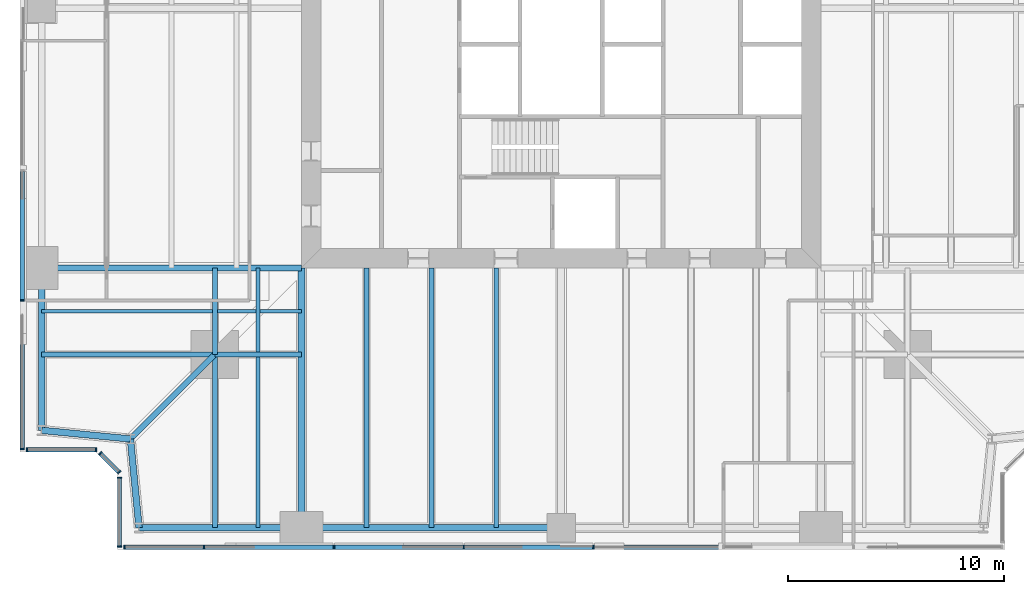
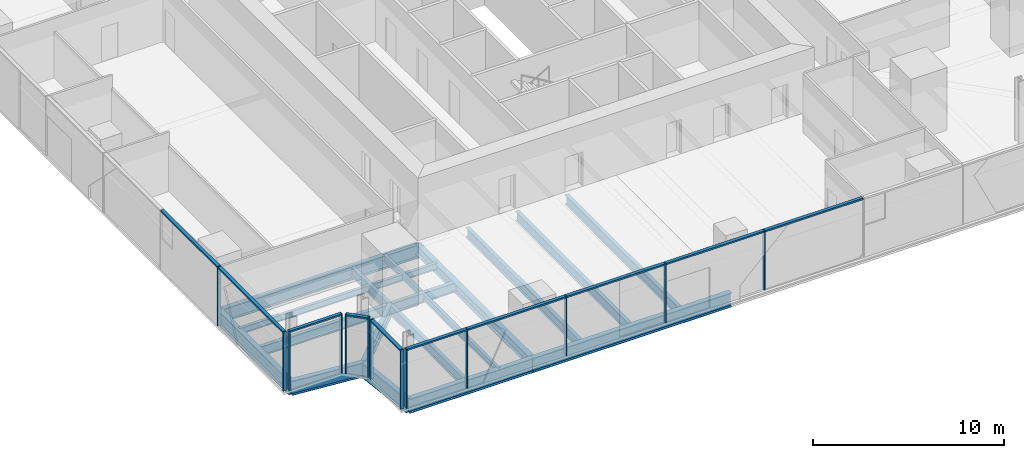
# One storey, part 2 of 13: 23 members, 20 beams, 5 elements without a shape of their own.
"""IFC4 building model written with IfcOpenShell, lengths in metres."""

from ifc_helpers import new_model, si_unit, direction, frame, origin, origin_2d, place, context, subcontext, project, spatial, rectangle, i_section, extrude, material, material_profile, profile_set, type_object, element, aggregate, save


model = new_model("IFC4")

# Units and contexts
model_context = context("Model", 3, precision=1e-05, world=origin(), true_north=direction((0.0, 1.0)))
body_context = subcontext(model_context, "Body", "Model", "MODEL_VIEW")
ifc_project = project(units=[si_unit("LENGTHUNIT", "METRE"), si_unit("AREAUNIT", "SQUARE_METRE"), si_unit("VOLUMEUNIT", "CUBIC_METRE"), si_unit("PLANEANGLEUNIT", "RADIAN"), si_unit("MASSUNIT", "GRAM", prefix="KILO")], contexts=[model_context])

# Site, building, storey
site_placement = place(None, origin())
site = spatial("IfcSite", under=ifc_project, at=site_placement, CompositionType="ELEMENT")
building_placement = place(site_placement, origin())
building = spatial("IfcBuilding", under=site, at=building_placement, Name="Fenwick Lantern Interchange", CompositionType="ELEMENT")
storey_placement = place(building_placement, frame((0.0, 0.0, 158.39990234375)))
storey = spatial("IfcBuildingStorey", under=building, at=storey_placement, Name="L37", CompositionType="ELEMENT", Elevation=158.39990234375)

# Beams
ifc_material_1 = material(Name="Steel ASTM A992 Grade 50", Category="steel")
ifc_material_profile_1 = material_profile(ifc_material_1, i_section(OverallWidth=0.3046875, OverallDepth=0.911865234375, WebThickness=0.015869140625, FlangeThickness=0.02392578125, at=origin_2d()), Name="W36X150")
ifc_profile_set_1 = profile_set([ifc_material_profile_1], Name="Steel ASTM A992 Grade 50")
beam_type_1 = type_object("IfcBeamType", Name="EDGE BEAM W36X150", PredefinedType="SPANDREL", material=ifc_profile_set_1)
beam_1_placement = place(storey_placement, frame((5.5, 1.0, -0.605712890625), z_axis=(1.0, 0.0, 0.0), x_axis=(0.0, 1.0, 0.0)))
element("IfcBeam", 1, at=beam_1_placement, inside=storey, type_object=beam_type_1, Name="L37/FR/S/EB1", PredefinedType="SPANDREL", context=body_context, shape_type="SweptSolid", body=[
    extrude(i_section(OverallWidth=0.3046875, OverallDepth=0.911865234375, WebThickness=0.015869140625, FlangeThickness=0.02392578125, at=origin_2d()), origin(), (0.0, 0.0, 1.0), 7.5),
])
beam_2_placement = place(storey_placement, frame((13.0, 1.0, -0.605712890625), z_axis=(1.0, 0.0, 0.0), x_axis=(0.0, 1.0, 0.0)))
element("IfcBeam", 2, at=beam_2_placement, inside=storey, type_object=beam_type_1, Name="L37/FR/S/EB2", PredefinedType="SPANDREL", context=body_context, shape_type="SweptSolid", body=[
    extrude(i_section(OverallWidth=0.3046875, OverallDepth=0.911865234375, WebThickness=0.015869140625, FlangeThickness=0.02392578125, at=origin_2d()), origin(), (0.0, 0.0, 1.0), 12.0),
])
beam_3_placement = place(storey_placement, frame((1.0, 13.0, -0.605712890625), z_axis=(0.0, -1.0, 0.0), x_axis=(1.0, 0.0, 0.0)))
element("IfcBeam", 3, at=beam_3_placement, inside=storey, type_object=beam_type_1, Name="L37/FR/W/EB4", PredefinedType="SPANDREL", context=body_context, shape_type="SweptSolid", body=[
    extrude(i_section(OverallWidth=0.3046875, OverallDepth=0.911865234375, WebThickness=0.015869140625, FlangeThickness=0.02392578125, at=origin_2d()), origin(), (0.0, 0.0, 1.0), 7.5),
])
for number, where, z_axis, x_axis, name in (
    (4, (1.0, 5.5, -0.605712890625), (0.995277148028, -0.097074191287, 0.0), (0.097074191287, 0.995277148028, 0.0), "L37/FR/W/EBR1"),
    (5, (5.10009765625, 5.10009765625, -0.605712890625), (0.097074191287, -0.995277148028, 0.0), (0.995277148028, 0.097074191287, 0.0), "L37/FR/W/EBR2"),
):
    element("IfcBeam", number, at=place(storey_placement, frame(where, z_axis=z_axis, x_axis=x_axis)), inside=storey, type_object=beam_type_1, Name=name, PredefinedType="SPANDREL", context=body_context, shape_type="SweptSolid", body=[
        extrude(i_section(OverallWidth=0.3046875, OverallDepth=0.911865234375, WebThickness=0.015869140625, FlangeThickness=0.02392578125, at=origin_2d()), origin(), (0.0, 0.0, 1.0), 4.11962890625),
    ])
ifc_material_profile_2 = material_profile(ifc_material_1, i_section(OverallWidth=0.22900390625, OverallDepth=0.612060546875, WebThickness=0.011962890625, FlangeThickness=0.01953125, at=origin_2d()), Name="W24X84")
ifc_profile_set_2 = profile_set([ifc_material_profile_2], Name="Steel ASTM A992 Grade 50")
beam_type_2 = type_object("IfcBeamType", Name="FLOOR BEAM W24X84", PredefinedType="BEAM", material=ifc_profile_set_2)
for number, where, z_axis, x_axis, name in (
    (6, (16.0, 1.0, -0.4560546875), (0.0, 1.0, 0.0), (-1.0, 0.0, 0.0), "L37/FR/S/R02"),
    (7, (19.0, 1.0, -0.4560546875), (0.0, 1.0, 0.0), (-1.0, 0.0, 0.0), "L37/FR/S/R03"),
    (8, (22.0, 1.0, -0.4560546875), (0.0, 1.0, 0.0), (-1.0, 0.0, 0.0), "L37/FR/S/R04"),
):
    element("IfcBeam", number, at=place(storey_placement, frame(where, z_axis=z_axis, x_axis=x_axis)), inside=storey, type_object=beam_type_2, Name=name, PredefinedType="BEAM", context=body_context, shape_type="SweptSolid", body=[
        extrude(i_section(OverallWidth=0.22900390625, OverallDepth=0.612060546875, WebThickness=0.011962890625, FlangeThickness=0.01953125, at=origin_2d()), origin(), (0.0, 0.0, 1.0), 12.0),
    ])
ifc_material_profile_3 = material_profile(ifc_material_1, i_section(OverallWidth=0.177734375, OverallDepth=0.406494140625, WebThickness=0.0078125, FlangeThickness=0.012939453125, at=origin_2d()), Name="W16X40")
ifc_profile_set_3 = profile_set([ifc_material_profile_3], Name="Steel ASTM A992 Grade 50")
beam_type_3 = type_object("IfcBeamType", Name="INFILL BEAM W16X40", PredefinedType="JOIST", material=ifc_profile_set_3)
beam_4_placement = place(storey_placement, frame((11.0, 1.0, -0.35302734375), z_axis=(0.0, 1.0, 0.0), x_axis=(-1.0, 0.0, 0.0)))
element("IfcBeam", 9, at=beam_4_placement, inside=storey, type_object=beam_type_3, Name="L37/FR/S/J1", PredefinedType="JOIST", context=body_context, shape_type="SweptSolid", body=[
    extrude(i_section(OverallWidth=0.177734375, OverallDepth=0.406494140625, WebThickness=0.0078125, FlangeThickness=0.012939453125, at=origin_2d()), origin(), (0.0, 0.0, 1.0), 7.885498046875),
])
beam_5_placement = place(storey_placement, frame((11.0, 9.114501953125, -0.35302734375), z_axis=(0.0, 1.0, 0.0), x_axis=(-1.0, 0.0, 0.0)))
element("IfcBeam", 10, at=beam_5_placement, inside=storey, type_object=beam_type_3, Name="L37/FR/S/J2", PredefinedType="JOIST", context=body_context, shape_type="SweptSolid", body=[
    extrude(i_section(OverallWidth=0.177734375, OverallDepth=0.406494140625, WebThickness=0.0078125, FlangeThickness=0.012939453125, at=origin_2d()), origin(), (0.0, 0.0, 1.0), 3.885498046875),
])
beam_6_placement = place(storey_placement, frame((1.0, 11.0, -0.35302734375), z_axis=(1.0, 0.0, 0.0), x_axis=(0.0, 1.0, 0.0)))
element("IfcBeam", 11, at=beam_6_placement, inside=storey, type_object=beam_type_3, Name="L37/FR/S/J3", PredefinedType="JOIST", context=body_context, shape_type="SweptSolid", body=[
    extrude(i_section(OverallWidth=0.177734375, OverallDepth=0.406494140625, WebThickness=0.0078125, FlangeThickness=0.012939453125, at=origin_2d()), origin(), (0.0, 0.0, 1.0), 7.885498046875),
])
beam_7_placement = place(storey_placement, frame((9.114501953125, 11.0, -0.35302734375), z_axis=(1.0, 0.0, 0.0), x_axis=(0.0, 1.0, 0.0)))
element("IfcBeam", 12, at=beam_7_placement, inside=storey, type_object=beam_type_3, Name="L37/FR/S/J4", PredefinedType="JOIST", context=body_context, shape_type="SweptSolid", body=[
    extrude(i_section(OverallWidth=0.177734375, OverallDepth=0.406494140625, WebThickness=0.0078125, FlangeThickness=0.012939453125, at=origin_2d()), origin(), (0.0, 0.0, 1.0), 1.796630859375),
])
beam_8_placement = place(storey_placement, frame((11.0888671875, 11.0, -0.35302734375), z_axis=(1.0, 0.0, 0.0), x_axis=(0.0, 1.0, 0.0)))
element("IfcBeam", 13, at=beam_8_placement, inside=storey, type_object=beam_type_3, Name="L37/FR/S/J5", PredefinedType="JOIST", context=body_context, shape_type="SweptSolid", body=[
    extrude(i_section(OverallWidth=0.177734375, OverallDepth=0.406494140625, WebThickness=0.0078125, FlangeThickness=0.012939453125, at=origin_2d()), origin(), (0.0, 0.0, 1.0), 1.9111328125),
])
ifc_material_profile_4 = material_profile(ifc_material_1, i_section(OverallWidth=0.22900390625, OverallDepth=0.612060546875, WebThickness=0.011962890625, FlangeThickness=0.01953125, at=origin_2d()), Name="W24X84")
ifc_profile_set_4 = profile_set([ifc_material_profile_4], Name="Steel ASTM A992 Grade 50")
beam_type_4 = type_object("IfcBeamType", Name="MEGA COLUMN BEAM W24X84", PredefinedType="BEAM", material=ifc_profile_set_4)
for number, where, z_axis, x_axis, name in (
    (14, (9.0, 9.0, -0.4560546875), (0.0, -1.0, 0.0), (1.0, 0.0, 0.0), "L37/FR/S/MB1"),
    (15, (9.0, 9.0, -0.4560546875), (-1.0, 0.0, 0.0), (0.0, -1.0, 0.0), "L37/FR/S/MB2"),
):
    element("IfcBeam", number, at=place(storey_placement, frame(where, z_axis=z_axis, x_axis=x_axis)), inside=storey, type_object=beam_type_4, Name=name, PredefinedType="BEAM", context=body_context, shape_type="SweptSolid", body=[
        extrude(i_section(OverallWidth=0.22900390625, OverallDepth=0.612060546875, WebThickness=0.011962890625, FlangeThickness=0.01953125, at=origin_2d()), origin(), (0.0, 0.0, 1.0), 8.0),
    ])
for number, where, z_axis, x_axis, name in (
    (16, (9.0, 9.0, -0.4560546875), (1.0, 0.0, 0.0), (0.0, 1.0, 0.0), "L37/FR/S/MB3"),
    (17, (9.0, 9.0, -0.4560546875), (0.0, 1.0, 0.0), (-1.0, 0.0, 0.0), "L37/FR/S/MB4"),
):
    element("IfcBeam", number, at=place(storey_placement, frame(where, z_axis=z_axis, x_axis=x_axis)), inside=storey, type_object=beam_type_4, Name=name, PredefinedType="BEAM", context=body_context, shape_type="SweptSolid", body=[
        extrude(i_section(OverallWidth=0.22900390625, OverallDepth=0.612060546875, WebThickness=0.011962890625, FlangeThickness=0.01953125, at=origin_2d()), origin(), (0.0, 0.0, 1.0), 4.0),
    ])
ifc_material_profile_5 = material_profile(ifc_material_1, i_section(OverallWidth=0.32763671875, OverallDepth=0.622314453125, WebThickness=0.015380859375, FlangeThickness=0.0244140625, at=origin_2d()), Name="W24X131")
ifc_profile_set_5 = profile_set([ifc_material_profile_5], Name="Steel ASTM A992 Grade 50")
beam_type_5 = type_object("IfcBeamType", Name="MOMENT-CONNECTED GIRDER W24X131", PredefinedType="BEAM", material=ifc_profile_set_5)
beam_9_placement = place(storey_placement, frame((13.0, 1.0, -0.4609375), z_axis=(0.0, 1.0, 0.0), x_axis=(-1.0, 0.0, 0.0)))
element("IfcBeam", 18, at=beam_9_placement, inside=storey, type_object=beam_type_5, Name="L37/FR/S/R01", PredefinedType="BEAM", context=body_context, shape_type="SweptSolid", body=[
    extrude(i_section(OverallWidth=0.32763671875, OverallDepth=0.622314453125, WebThickness=0.015380859375, FlangeThickness=0.0244140625, at=origin_2d()), origin(), (0.0, 0.0, 1.0), 12.0),
])
ifc_material_profile_6 = material_profile(ifc_material_1, i_section(OverallWidth=0.2919921875, OverallDepth=0.845703125, WebThickness=0.015380859375, FlangeThickness=0.0244140625, at=origin_2d()), Name="W33X141")
ifc_profile_set_6 = profile_set([ifc_material_profile_6], Name="Steel ASTM A992 Grade 50")
beam_type_6 = type_object("IfcBeamType", Name="MOMENT-CONNECTED GIRDER W33X141", PredefinedType="BEAM", material=ifc_profile_set_6)
beam_10_placement = place(storey_placement, frame((1.0, 13.0, -0.57275390625), z_axis=(1.0, 0.0, 0.0), x_axis=(0.0, 1.0, 0.0)))
element("IfcBeam", 19, at=beam_10_placement, inside=storey, type_object=beam_type_6, Name="L37/FR/W/R03", PredefinedType="BEAM", context=body_context, shape_type="SweptSolid", body=[
    extrude(i_section(OverallWidth=0.2919921875, OverallDepth=0.845703125, WebThickness=0.015380859375, FlangeThickness=0.0244140625, at=origin_2d()), origin(), (0.0, 0.0, 1.0), 12.0),
])
ifc_material_profile_7 = material_profile(ifc_material_1, i_section(OverallWidth=0.2666015625, OverallDepth=0.7568359375, WebThickness=0.013916015625, FlangeThickness=0.019287109375, at=origin_2d()), Name="W30X108")
ifc_profile_set_7 = profile_set([ifc_material_profile_7], Name="Steel ASTM A992 Grade 50")
beam_type_7 = type_object("IfcBeamType", Name="NOTCH BEAM W30X108", PredefinedType="BEAM", material=ifc_profile_set_7)
beam_11_placement = place(storey_placement, frame((9.0, 9.0, -0.5283203125), z_axis=(-0.707106781187, -0.707106781187, 0.0), x_axis=(0.707106781187, -0.707106781187, 0.0)))
element("IfcBeam", 20, at=beam_11_placement, inside=storey, type_object=beam_type_7, Name="L37/FR/S/TG", PredefinedType="BEAM", context=body_context, shape_type="SweptSolid", body=[
    extrude(i_section(OverallWidth=0.2666015625, OverallDepth=0.7568359375, WebThickness=0.013916015625, FlangeThickness=0.019287109375, at=origin_2d()), origin(), (0.0, 0.0, 1.0), 5.515380859375),
])

# Curtain wall, members
ifc_material_2 = material(Name="Aluminium curtain wall frame", Category="aluminium")
curtain_wall_type = type_object("IfcCurtainWallType", Name="OFFICE CURTAIN WALL", PredefinedType="USERDEFINED", material=ifc_material_2)
curtain_wall_1_placement = place(storey_placement, origin())
curtain_wall_1 = element("IfcCurtainWall", 21, at=curtain_wall_1_placement, inside=storey, type_object=curtain_wall_type, Name="Office curtain wall 01", ObjectType="OFFICE CURTAIN WALL", PredefinedType="USERDEFINED")
ifc_material_3 = material(Name="Aluminium extrusion", Category="aluminium")
ifc_material_profile_8 = material_profile(ifc_material_3, rectangle(XDim=0.199951171875, YDim=0.06494140625, at=origin_2d()), Name="OFFICE CURTAIN WALL MULLION 65 X 200")
ifc_profile_set_8 = profile_set([ifc_material_profile_8], Name="Aluminium extrusion")
member_type_1 = type_object("IfcMemberType", Name="OFFICE CURTAIN WALL MULLION 65 X 200", PredefinedType="MULLION", material=ifc_profile_set_8)
member_1_placement = place(storey_placement, frame((4.83251953125, 0.10009765625, 0.0), z_axis=(0.0, 0.0, 1.0), x_axis=(0.0, 1.0, 0.0)))
member_1 = element("IfcMember", 22, at=member_1_placement, type_object=member_type_1, Name="L37/CW/01/M00", PredefinedType="MULLION", context=body_context, shape_type="SweptSolid", body=[
    extrude(rectangle(XDim=0.199951171875, YDim=0.06494140625, at=origin_2d()), origin(), (0.0, 0.0, 1.0), 3.800048828125),
])
member_2_placement = place(storey_placement, frame((8.5, 0.10009765625, 0.0), z_axis=(0.0, 0.0, 1.0), x_axis=(0.0, 1.0, 0.0)))
member_2 = element("IfcMember", 23, at=member_2_placement, type_object=member_type_1, Name="L37/CW/01/M01", PredefinedType="MULLION", context=body_context, shape_type="SweptSolid", body=[
    extrude(rectangle(XDim=0.199951171875, YDim=0.06494140625, at=origin_2d()), origin(), (0.0, 0.0, 1.0), 3.800048828125),
])
member_3_placement = place(storey_placement, frame((14.5, 0.10009765625, 0.0), z_axis=(0.0, 0.0, 1.0), x_axis=(0.0, 1.0, 0.0)))
member_3 = element("IfcMember", 24, at=member_3_placement, type_object=member_type_1, Name="L37/CW/01/M02", PredefinedType="MULLION", context=body_context, shape_type="SweptSolid", body=[
    extrude(rectangle(XDim=0.199951171875, YDim=0.06494140625, at=origin_2d()), origin(), (0.0, 0.0, 1.0), 3.800048828125),
])
member_4_placement = place(storey_placement, frame((20.5, 0.10009765625, 0.0), z_axis=(0.0, 0.0, 1.0), x_axis=(0.0, 1.0, 0.0)))
member_4 = element("IfcMember", 25, at=member_4_placement, type_object=member_type_1, Name="L37/CW/01/M03", PredefinedType="MULLION", context=body_context, shape_type="SweptSolid", body=[
    extrude(rectangle(XDim=0.199951171875, YDim=0.06494140625, at=origin_2d()), origin(), (0.0, 0.0, 1.0), 3.800048828125),
])
member_5_placement = place(storey_placement, frame((26.5, 0.10009765625, 0.0), z_axis=(0.0, 0.0, 1.0), x_axis=(0.0, 1.0, 0.0)))
member_5 = element("IfcMember", 26, at=member_5_placement, type_object=member_type_1, Name="L37/CW/01/M04", PredefinedType="MULLION", context=body_context, shape_type="SweptSolid", body=[
    extrude(rectangle(XDim=0.199951171875, YDim=0.06494140625, at=origin_2d()), origin(), (0.0, 0.0, 1.0), 3.800048828125),
])

curtain_wall_2_placement = place(storey_placement, origin())
curtain_wall_2 = element("IfcCurtainWall", 27, at=curtain_wall_2_placement, inside=storey, type_object=curtain_wall_type, Name="Office curtain wall 13", ObjectType="OFFICE CURTAIN WALL", PredefinedType="USERDEFINED")
member_6_placement = place(storey_placement, frame((0.10009765625, 11.5, 0.0), z_axis=(0.0, 0.0, 1.0), x_axis=(1.0, 0.0, 0.0)))
member_6 = element("IfcMember", 28, at=member_6_placement, type_object=member_type_1, Name="L37/CW/13/M06", PredefinedType="MULLION", context=body_context, shape_type="SweptSolid", body=[
    extrude(rectangle(XDim=0.199951171875, YDim=0.06494140625, at=origin_2d()), origin(), (0.0, 0.0, 1.0), 3.800048828125),
])
member_7_placement = place(storey_placement, frame((0.10009765625, 4.632568359375, 0.0), z_axis=(0.0, 0.0, 1.0), x_axis=(1.0, 0.0, 0.0)))
member_7 = element("IfcMember", 29, at=member_7_placement, type_object=member_type_1, Name="L37/CW/13/M07", PredefinedType="MULLION", context=body_context, shape_type="SweptSolid", body=[
    extrude(rectangle(XDim=0.199951171875, YDim=0.06494140625, at=origin_2d()), origin(), (0.0, 0.0, 1.0), 3.800048828125),
])

curtain_wall_3_placement = place(storey_placement, origin())
curtain_wall_3 = element("IfcCurtainWall", 30, at=curtain_wall_3_placement, inside=storey, type_object=curtain_wall_type, Name="Office curtain wall 14", ObjectType="OFFICE CURTAIN WALL", PredefinedType="USERDEFINED")
member_8_placement = place(storey_placement, frame((0.33251953125, 4.60009765625, 0.0), z_axis=(0.0, 0.0, 1.0), x_axis=(0.0, 1.0, 0.0)))
member_8 = element("IfcMember", 31, at=member_8_placement, type_object=member_type_1, Name="L37/CW/14/M00", PredefinedType="MULLION", context=body_context, shape_type="SweptSolid", body=[
    extrude(rectangle(XDim=0.199951171875, YDim=0.06494140625, at=origin_2d()), origin(), (0.0, 0.0, 1.0), 3.800048828125),
])
member_9_placement = place(storey_placement, frame((3.509033203125, 4.60009765625, 0.0), z_axis=(0.0, 0.0, 1.0), x_axis=(0.0, 1.0, 0.0)))
member_9 = element("IfcMember", 32, at=member_9_placement, type_object=member_type_1, Name="L37/CW/14/M01", PredefinedType="MULLION", context=body_context, shape_type="SweptSolid", body=[
    extrude(rectangle(XDim=0.199951171875, YDim=0.06494140625, at=origin_2d()), origin(), (0.0, 0.0, 1.0), 3.800048828125),
])

curtain_wall_4_placement = place(storey_placement, origin())
curtain_wall_4 = element("IfcCurtainWall", 33, at=curtain_wall_4_placement, inside=storey, type_object=curtain_wall_type, Name="Office curtain wall 15", ObjectType="OFFICE CURTAIN WALL", PredefinedType="USERDEFINED")
member_10_placement = place(storey_placement, frame((3.705810546875, 4.435546875, 0.0), z_axis=(0.0, 0.0, 1.0), x_axis=(0.707106781187, 0.707106781187, 0.0)))
member_10 = element("IfcMember", 34, at=member_10_placement, type_object=member_type_1, Name="L37/CW/15/M00", PredefinedType="MULLION", context=body_context, shape_type="SweptSolid", body=[
    extrude(rectangle(XDim=0.199951171875, YDim=0.06494140625, at=origin_2d()), origin(), (0.0, 0.0, 1.0), 3.800048828125),
])
member_11_placement = place(storey_placement, frame((4.576904296875, 3.564453125, 0.0), z_axis=(0.0, 0.0, 1.0), x_axis=(0.707106781187, 0.707106781187, 0.0)))
member_11 = element("IfcMember", 35, at=member_11_placement, type_object=member_type_1, Name="L37/CW/15/M01", PredefinedType="MULLION", context=body_context, shape_type="SweptSolid", body=[
    extrude(rectangle(XDim=0.199951171875, YDim=0.06494140625, at=origin_2d()), origin(), (0.0, 0.0, 1.0), 3.800048828125),
])

curtain_wall_5_placement = place(storey_placement, origin())
curtain_wall_5 = element("IfcCurtainWall", 36, at=curtain_wall_5_placement, inside=storey, type_object=curtain_wall_type, Name="Office curtain wall 16", ObjectType="OFFICE CURTAIN WALL", PredefinedType="USERDEFINED")
member_12_placement = place(storey_placement, frame((4.60009765625, 3.308837890625, 0.0), z_axis=(0.0, 0.0, 1.0), x_axis=(1.0, 0.0, 0.0)))
member_12 = element("IfcMember", 37, at=member_12_placement, type_object=member_type_1, Name="L37/CW/16/M00", PredefinedType="MULLION", context=body_context, shape_type="SweptSolid", body=[
    extrude(rectangle(XDim=0.199951171875, YDim=0.06494140625, at=origin_2d()), origin(), (0.0, 0.0, 1.0), 3.800048828125),
])
member_13_placement = place(storey_placement, frame((4.60009765625, 0.132568359375, 0.0), z_axis=(0.0, 0.0, 1.0), x_axis=(1.0, 0.0, 0.0)))
member_13 = element("IfcMember", 38, at=member_13_placement, type_object=member_type_1, Name="L37/CW/16/M01", PredefinedType="MULLION", context=body_context, shape_type="SweptSolid", body=[
    extrude(rectangle(XDim=0.199951171875, YDim=0.06494140625, at=origin_2d()), origin(), (0.0, 0.0, 1.0), 3.800048828125),
])

# Member
ifc_material_profile_9 = material_profile(ifc_material_3, rectangle(XDim=0.199951171875, YDim=0.10009765625, at=origin_2d()), Name="OFFICE CURTAIN WALL TRANSOM 100 X 200")
ifc_profile_set_9 = profile_set([ifc_material_profile_9], Name="Aluminium extrusion")
member_type_2 = type_object("IfcMemberType", Name="OFFICE CURTAIN WALL TRANSOM 100 X 200", PredefinedType="MULLION", material=ifc_profile_set_9)
member_14_placement = place(storey_placement, frame((4.864990234375, 0.10009765625, 3.75), z_axis=(1.0, 0.0, 0.0), x_axis=(0.0, 1.0, 0.0)))
member_14 = element("IfcMember", 39, at=member_14_placement, type_object=member_type_2, Name="L37/CW/01/T00", PredefinedType="MULLION", context=body_context, shape_type="SweptSolid", body=[
    extrude(rectangle(XDim=0.199951171875, YDim=0.10009765625, at=origin_2d()), origin(), (0.0, 0.0, 1.0), 3.6025390625),
])

member_15_placement = place(storey_placement, frame((8.532470703125, 0.10009765625, 3.75), z_axis=(1.0, 0.0, 0.0), x_axis=(0.0, 1.0, 0.0)))
member_15 = element("IfcMember", 40, at=member_15_placement, type_object=member_type_2, Name="L37/CW/01/T01", PredefinedType="MULLION", context=body_context, shape_type="SweptSolid", body=[
    extrude(rectangle(XDim=0.199951171875, YDim=0.10009765625, at=origin_2d()), origin(), (0.0, 0.0, 1.0), 5.93505859375),
])

member_16_placement = place(storey_placement, frame((14.532470703125, 0.10009765625, 3.75), z_axis=(1.0, 0.0, 0.0), x_axis=(0.0, 1.0, 0.0)))
member_16 = element("IfcMember", 41, at=member_16_placement, type_object=member_type_2, Name="L37/CW/01/T02", PredefinedType="MULLION", context=body_context, shape_type="SweptSolid", body=[
    extrude(rectangle(XDim=0.199951171875, YDim=0.10009765625, at=origin_2d()), origin(), (0.0, 0.0, 1.0), 5.93505859375),
])

member_17_placement = place(storey_placement, frame((20.532470703125, 0.10009765625, 3.75), z_axis=(1.0, 0.0, 0.0), x_axis=(0.0, 1.0, 0.0)))
member_17 = element("IfcMember", 42, at=member_17_placement, type_object=member_type_2, Name="L37/CW/01/T03", PredefinedType="MULLION", context=body_context, shape_type="SweptSolid", body=[
    extrude(rectangle(XDim=0.199951171875, YDim=0.10009765625, at=origin_2d()), origin(), (0.0, 0.0, 1.0), 5.93505859375),
])

member_18_placement = place(storey_placement, frame((26.532470703125, 0.10009765625, 3.75), z_axis=(1.0, 0.0, 0.0), x_axis=(0.0, 1.0, 0.0)))
member_18 = element("IfcMember", 43, at=member_18_placement, type_object=member_type_2, Name="L37/CW/01/T04", PredefinedType="MULLION", context=body_context, shape_type="SweptSolid", body=[
    extrude(rectangle(XDim=0.199951171875, YDim=0.10009765625, at=origin_2d()), origin(), (0.0, 0.0, 1.0), 5.93505859375),
])

aggregate(curtain_wall_1, [member_1, member_2, member_3, member_4, member_5, member_14, member_15, member_16, member_17, member_18])

member_19_placement = place(storey_placement, frame((0.10009765625, 17.467529296875, 3.75), z_axis=(0.0, -1.0, 0.0), x_axis=(1.0, 0.0, 0.0)))
member_19 = element("IfcMember", 44, at=member_19_placement, type_object=member_type_2, Name="L37/CW/13/T05", PredefinedType="MULLION", context=body_context, shape_type="SweptSolid", body=[
    extrude(rectangle(XDim=0.199951171875, YDim=0.10009765625, at=origin_2d()), origin(), (0.0, 0.0, 1.0), 5.93505859375),
])

member_20_placement = place(storey_placement, frame((0.10009765625, 11.467529296875, 3.75), z_axis=(0.0, -1.0, 0.0), x_axis=(1.0, 0.0, 0.0)))
member_20 = element("IfcMember", 45, at=member_20_placement, type_object=member_type_2, Name="L37/CW/13/T06", PredefinedType="MULLION", context=body_context, shape_type="SweptSolid", body=[
    extrude(rectangle(XDim=0.199951171875, YDim=0.10009765625, at=origin_2d()), origin(), (0.0, 0.0, 1.0), 6.802490234375),
])

aggregate(curtain_wall_2, [member_6, member_7, member_19, member_20])

member_21_placement = place(storey_placement, frame((0.364990234375, 4.60009765625, 3.75), z_axis=(1.0, 0.0, 0.0), x_axis=(0.0, 1.0, 0.0)))
member_21 = element("IfcMember", 46, at=member_21_placement, type_object=member_type_2, Name="L37/CW/14/T00", PredefinedType="MULLION", context=body_context, shape_type="SweptSolid", body=[
    extrude(rectangle(XDim=0.199951171875, YDim=0.10009765625, at=origin_2d()), origin(), (0.0, 0.0, 1.0), 3.111328125),
])

aggregate(curtain_wall_3, [member_8, member_9, member_21])

member_22_placement = place(storey_placement, frame((3.728759765625, 4.41259765625, 3.75), z_axis=(0.707106781187, -0.707106781187, 0.0), x_axis=(0.707106781187, 0.707106781187, 0.0)))
member_22 = element("IfcMember", 47, at=member_22_placement, type_object=member_type_2, Name="L37/CW/15/T00", PredefinedType="MULLION", context=body_context, shape_type="SweptSolid", body=[
    extrude(rectangle(XDim=0.199951171875, YDim=0.10009765625, at=origin_2d()), origin(), (0.0, 0.0, 1.0), 1.1669921875),
])

aggregate(curtain_wall_4, [member_10, member_11, member_22])

member_23_placement = place(storey_placement, frame((4.60009765625, 3.2763671875, 3.75), z_axis=(0.0, -1.0, 0.0), x_axis=(1.0, 0.0, 0.0)))
member_23 = element("IfcMember", 48, at=member_23_placement, type_object=member_type_2, Name="L37/CW/16/T00", PredefinedType="MULLION", context=body_context, shape_type="SweptSolid", body=[
    extrude(rectangle(XDim=0.199951171875, YDim=0.10009765625, at=origin_2d()), origin(), (0.0, 0.0, 1.0), 3.111328125),
])

aggregate(curtain_wall_5, [member_12, member_13, member_23])

save(model, "model.ifc")
